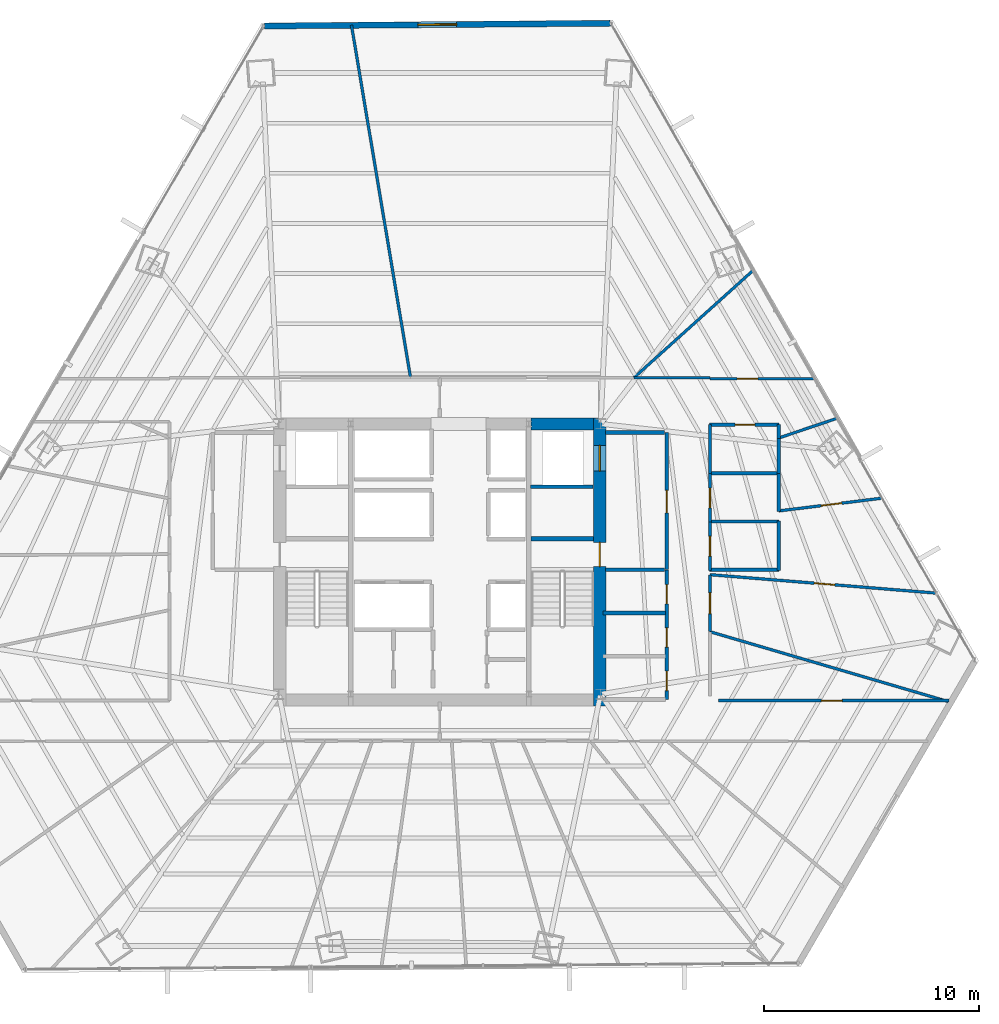
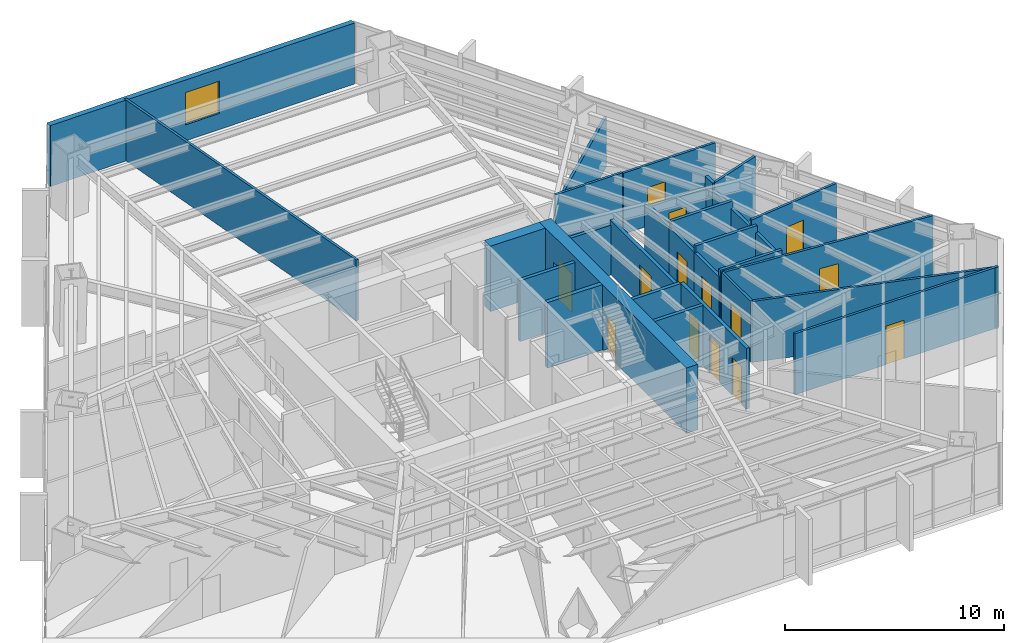
# One storey, part 34 of 38: 31 walls, 14 doors, 1 window, 15 openings.
"""IFC4 building model written with IfcOpenShell, lengths in metres."""

import ifcopenshell
import ifcopenshell.guid

model = None  # the IFC model being written
_history = None  # IfcOwnerHistory: only IFC2X3 demands one
_inside = {}  # id of a spatial element -> (the spatial element, [elements in it])
_under = {}  # id of a project, library or spatial element -> (it, [spatial elements below it])
_declared = {}  # id of a project -> (the project, [libraries it declares])
_typed = {}  # id of a type object -> (the type object, [elements of that type])
_made_of = {}  # id of a material, layer set ... -> (it, [elements and type objects made of it])


def new_model(schema):
    """Start an empty IFC model of exactly this schema.

    Asked for "IFC4X3", IfcOpenShell would pick the latest addendum, in which some entities
    have other attributes; the version numbers below select the first issue.
    IFC2X3 requires an IfcOwnerHistory on every rooted entity: one is made here for all.
    """
    global model, _history
    if schema == "IFC4X3":
        model = ifcopenshell.file(schema_version=(4, 3, 0, 0))
    else:
        model = ifcopenshell.file(schema=schema)
    _inside.clear()
    _under.clear()
    _declared.clear()
    _typed.clear()
    _made_of.clear()
    _history = None
    if model.schema == "IFC2X3":
        org = make("IfcOrganization", Name="unknown")
        user = make(
            "IfcPersonAndOrganization",
            ThePerson=make("IfcPerson", FamilyName="unknown"),
            TheOrganization=org,
        )
        app = make(
            "IfcApplication",
            ApplicationDeveloper=org,
            Version="unknown",
            ApplicationFullName="unknown",
            ApplicationIdentifier="unknown",
        )
        _history = make(
            "IfcOwnerHistory",
            OwningUser=user,
            OwningApplication=app,
            ChangeAction="ADDED",
            CreationDate=0,
        )
    return model


def make(cls, **values):
    """One entity of the class cls with the attributes given. An attribute that is None is left unset."""
    return model.create_entity(
        cls, **{name: value for name, value in values.items() if value is not None}
    )


def rooted(cls, **values):
    """An entity with a GlobalId (a new one), such as an element, a storey or a relation."""
    return make(cls, GlobalId=ifcopenshell.guid.new(), OwnerHistory=_history, **values)


def si_unit(unit_type, name, prefix=None):
    """IfcSIUnit, for example si_unit("LENGTHUNIT", "METRE", prefix="MILLI")."""
    return make("IfcSIUnit", UnitType=unit_type, Prefix=prefix, Name=name)


def assignment(units):
    """IfcUnitAssignment: the units of a project."""
    return None if units is None else make("IfcUnitAssignment", Units=units)


def point(xyz):
    """IfcCartesianPoint."""
    return None if xyz is None else make("IfcCartesianPoint", Coordinates=xyz)


def direction(xyz):
    """IfcDirection."""
    return None if xyz is None else make("IfcDirection", DirectionRatios=xyz)


def frame(location, z_axis=None, x_axis=None):
    """IfcAxis2Placement3D, a coordinate frame: its origin and axes. An axis left out is left unset."""
    return make(
        "IfcAxis2Placement3D",
        Location=point(location),
        Axis=direction(z_axis),
        RefDirection=direction(x_axis),
    )


def frame_2d(location, x_axis=None):
    """IfcAxis2Placement2D, a coordinate frame in the plane: its origin and x axis."""
    return make(
        "IfcAxis2Placement2D", Location=point(location), RefDirection=direction(x_axis)
    )


def origin():
    """The frame at (0, 0, 0) with its axes left unset."""
    return frame((0.0, 0.0, 0.0))


def place(relative_to, where):
    """IfcLocalPlacement: puts the frame where relative to a parent placement (None: the world)."""
    return make(
        "IfcLocalPlacement", PlacementRelTo=relative_to, RelativePlacement=where
    )


def context(
    kind, dimensions, precision=None, world=None, true_north=None, identifier=None
):
    """IfcGeometricRepresentationContext, for example the 3D "Model" context."""
    return make(
        "IfcGeometricRepresentationContext",
        ContextIdentifier=identifier,
        ContextType=kind,
        CoordinateSpaceDimension=dimensions,
        Precision=precision,
        WorldCoordinateSystem=world,
        TrueNorth=true_north,
    )


def subcontext(parent, identifier, kind, view, scale=None):
    """IfcGeometricRepresentationSubContext, for example "Body" below "Model"."""
    return make(
        "IfcGeometricRepresentationSubContext",
        ContextIdentifier=identifier,
        ContextType=kind,
        ParentContext=parent,
        TargetScale=scale,
        TargetView=view,
    )


def project(units=None, contexts=None):
    """IfcProject with its units and contexts."""
    return rooted(
        "IfcProject",
        Name="project",
        RepresentationContexts=contexts,
        UnitsInContext=assignment(units),
    )


def spatial(cls, under=None, at=None, **own):
    """A site, building, storey or space (cls), placed at a placement, below another one or the project."""
    s = rooted(cls, ObjectPlacement=at, **own)
    if under is not None:
        _under.setdefault(under.id(), (under, []))[1].append(s)
    return s


def profile(cls, at=None, kind="AREA", **sizes):
    """A parametric profile (cls). Its sizes go by their IFC names, for example OverallWidth=200.0."""
    return make(cls, ProfileType=kind, Position=at, **sizes)


def rectangle(**sizes):
    """IfcRectangleProfileDef."""
    return profile("IfcRectangleProfileDef", **sizes)


def extrude(swept, where, along, depth):
    """IfcExtrudedAreaSolid: the profile swept, set in the frame where, extruded along a direction by depth."""
    return make(
        "IfcExtrudedAreaSolid",
        SweptArea=swept,
        Position=where,
        ExtrudedDirection=direction(along),
        Depth=depth,
    )


def shape(context_of_items, identifier, shape_type, items):
    """IfcShapeRepresentation: the items that make up one representation, for example the "Body"."""
    return make(
        "IfcShapeRepresentation",
        ContextOfItems=context_of_items,
        RepresentationIdentifier=identifier,
        RepresentationType=shape_type,
        Items=items,
    )


def material(Name=None, Category=None):
    """IfcMaterial."""
    return make("IfcMaterial", Name=Name, Category=Category)


def layer(
    of_material, thickness, ventilated=None, Name=None, Category=None, Priority=None
):
    """IfcMaterialLayer: one layer of a wall or slab, of a material (None: an air gap)."""
    return make(
        "IfcMaterialLayer",
        Material=of_material,
        LayerThickness=thickness,
        IsVentilated=ventilated,
        Name=Name,
        Category=Category,
        Priority=Priority,
    )


def layer_set(layers, Name=None):
    """IfcMaterialLayerSet."""
    return make("IfcMaterialLayerSet", MaterialLayers=layers, LayerSetName=Name)


def made_of(thing, what):
    """Note that an element or type object is made of a material, layer set ...; save() writes the relation."""
    if what is not None:
        _made_of.setdefault(what.id(), (what, []))[1].append(thing)
    return thing


def type_object(cls, material=None, **own):
    """A type object (cls), such as IfcWallType, which elements share."""
    return made_of(rooted(cls, **own), material)


def element(
    cls,
    number,
    at=None,
    inside=None,
    cuts=None,
    type_object=None,
    material=None,
    context=None,
    identifier="Body",
    shape_type=None,
    held_by="IfcProductDefinitionShape",
    body=None,
    shapes=None,
    **own,
):
    """One element of the class cls, such as IfcWall. Its Tag is "e" and its number.

    at: its placement. inside: the storey or other place that contains it. cuts: it is an
    opening in that element (IfcRelVoidsElement). A single representation is given by context,
    identifier, shape_type and body (its items); several are given by shapes. held_by: the class
    of the entity that holds the representations. save() writes the other relations.
    """
    e = rooted(cls, Tag="e%d" % number, ObjectPlacement=at, **own)
    if body is not None:
        shapes = [shape(context, identifier, shape_type, body)]
    if shapes is not None:
        e.Representation = make(held_by, Representations=shapes)
    if inside is not None:
        _inside.setdefault(inside.id(), (inside, []))[1].append(e)
    if cuts is not None:
        rooted(
            "IfcRelVoidsElement", RelatingBuildingElement=cuts, RelatedOpeningElement=e
        )
    if type_object is not None:
        _typed.setdefault(type_object.id(), (type_object, []))[1].append(e)
    return made_of(e, material)


def fill(opening, filler):
    """IfcRelFillsElement: the door or window that sits in an opening."""
    return rooted(
        "IfcRelFillsElement",
        RelatingOpeningElement=opening,
        RelatedBuildingElement=filler,
    )


def aggregate(whole, parts):
    """IfcRelAggregates: a whole, such as a stair, and the parts it consists of."""
    return rooted("IfcRelAggregates", RelatingObject=whole, RelatedObjects=parts)


def save(model, path):
    """Write the relations noted so far, then the file.

    IfcRelAggregates (storeys below a building ...), IfcRelContainedInSpatialStructure (elements
    in a storey), IfcRelDefinesByType, IfcRelAssociatesMaterial and IfcRelDeclares: one each for
    every whole, place, type object, material and project.
    """
    for whole, parts in _under.values():
        aggregate(whole, parts)
    for where, things in _inside.values():
        rooted(
            "IfcRelContainedInSpatialStructure",
            RelatedElements=things,
            RelatingStructure=where,
        )
    for kind, things in _typed.values():
        rooted("IfcRelDefinesByType", RelatedObjects=things, RelatingType=kind)
    for what, things in _made_of.values():
        rooted("IfcRelAssociatesMaterial", RelatedObjects=things, RelatingMaterial=what)
    for by, libraries in _declared.values():
        rooted("IfcRelDeclares", RelatingContext=by, RelatedDefinitions=libraries)
    model.write(path)


model = new_model("IFC4")

# Units and contexts
model_context = context("Model", 3, precision=1e-05, world=origin(), true_north=direction((0.0, 1.0)))
body_context = subcontext(model_context, "Body", "Model", "MODEL_VIEW")
ifc_project = project(units=[si_unit("LENGTHUNIT", "METRE"), si_unit("AREAUNIT", "SQUARE_METRE"), si_unit("VOLUMEUNIT", "CUBIC_METRE"), si_unit("PLANEANGLEUNIT", "RADIAN"), si_unit("MASSUNIT", "GRAM", prefix="KILO")], contexts=[model_context])

# Site, building, storey
site_placement = place(None, origin())
site = spatial("IfcSite", under=ifc_project, at=site_placement, CompositionType="ELEMENT")
building_placement = place(site_placement, origin())
building = spatial("IfcBuilding", under=site, at=building_placement, Name="Caelisora Broadcast Tower", CompositionType="ELEMENT")
storey_placement = place(building_placement, frame((0.0, 0.0, 67.75)))
storey = spatial("IfcBuildingStorey", under=building, at=storey_placement, Name="L17", CompositionType="ELEMENT", Elevation=67.75)

# Wall, openings, doors
ifc_material_1 = material(Name="Concrete 65 MPa (AS 3600 S65)", Category="concrete")
ifc_layer_1 = layer(ifc_material_1, 0.60009765625, Name="Concrete 65 MPa (AS 3600 S65)")
ifc_layer_set_1 = layer_set([ifc_layer_1], Name="Concrete 65 MPa (AS 3600 S65)")
wall_type_1 = type_object("IfcWallType", Name="CW1", PredefinedType="SHEAR", material=ifc_layer_set_1)
wall_1_placement = place(storey_placement, frame((45.4599609375, 16.85009765625, 0.0), z_axis=(0.0, 0.0, 1.0), x_axis=(0.0, 1.0, 0.0)))
wall_1 = element("IfcWall", 1, at=wall_1_placement, inside=storey, type_object=wall_type_1, Name="L17 core shear wall CW1", PredefinedType="SHEAR", context=body_context, shape_type="SweptSolid", body=[
    extrude(rectangle(XDim=13.4248046875, YDim=0.60009765625, at=frame_2d((6.71240234375, 0.0))), origin(), (0.0, 0.0, 1.0), 3.64990234375),
])
opening_1_placement = place(wall_1_placement, frame((6.5, 0.0, 0.0)))
opening_1 = element("IfcOpeningElement", 2, at=opening_1_placement, cuts=wall_1, Name="Opening FD04", PredefinedType="OPENING", context=body_context, shape_type="SweptSolid", body=[
    extrude(rectangle(XDim=1.1201171875, YDim=2.14990234375, at=frame_2d((0.56005859375, 1.074951171875))), frame((0.0, 0.31201171875, 0.0), z_axis=(0.0, -1.0, 0.0), x_axis=(1.0, 0.0, 0.0)), (0.0, 0.0, 1.0), 0.6240234375),
])
opening_2_placement = place(wall_1_placement, frame((10.949951171875, 0.0, 0.0)))
opening_2 = element("IfcOpeningElement", 3, at=opening_2_placement, cuts=wall_1, Name="Opening LD04", PredefinedType="OPENING", context=body_context, shape_type="SweptSolid", body=[
    extrude(rectangle(XDim=1.199951171875, YDim=2.199951171875, at=frame_2d((0.60009765625, 1.10009765625))), frame((0.0, 0.31201171875, 0.0), z_axis=(0.0, -1.0, 0.0), x_axis=(1.0, 0.0, 0.0)), (0.0, 0.0, 1.0), 0.6240234375),
])
ifc_material_2 = material(Name="Pressurised Fire-Isolated Stair Door", Category="steel")
door_type_1 = type_object("IfcDoorType", Name="FD04", OperationType="NOTDEFINED", PredefinedType="DOOR", material=ifc_material_2)
door_1_placement = place(opening_1_placement, origin())
door_1 = element("IfcDoor", 4, at=door_1_placement, inside=storey, type_object=door_type_1, Name="L17 door FD04 (L17-DR-ST2)", OperationType="SINGLE_SWING_RIGHT", OverallHeight=2.14990234375, OverallWidth=1.1201171875, PredefinedType="DOOR", context=body_context, shape_type="SweptSolid", body=[
    extrude(rectangle(XDim=1.1201171875, YDim=2.14990234375, at=frame_2d((0.56005859375, 1.074951171875))), frame((0.0, 0.02490234375, 0.0), z_axis=(0.0, -1.0, 0.0), x_axis=(1.0, 0.0, 0.0)), (0.0, 0.0, 1.0), 0.050048828125),
])
fill(opening_1, door_1)
ifc_material_3 = material(Name="Emergency Firefighting Lift Sliding Landing Door", Category="steel")
door_type_2 = type_object("IfcDoorType", Name="LD04", OperationType="NOTDEFINED", PredefinedType="DOOR", material=ifc_material_3)
door_2_placement = place(opening_2_placement, origin())
door_2 = element("IfcDoor", 5, at=door_2_placement, inside=storey, type_object=door_type_2, Name="L17 door LD04 (L17-LD-FFL2)", OperationType="SLIDING_TO_RIGHT", OverallHeight=2.199951171875, OverallWidth=1.199951171875, PredefinedType="DOOR", context=body_context, shape_type="SweptSolid", body=[
    extrude(rectangle(XDim=1.199951171875, YDim=2.199951171875, at=frame_2d((0.60009765625, 1.10009765625))), frame((0.0, 0.02490234375, 0.0), z_axis=(0.0, -1.0, 0.0), x_axis=(1.0, 0.0, 0.0)), (0.0, 0.0, 1.0), 0.050048828125),
])
fill(opening_2, door_2)

# Walls
ifc_layer_2 = layer(ifc_material_1, 0.550048828125, Name="Concrete 65 MPa (AS 3600 S65)")
ifc_layer_set_2 = layer_set([ifc_layer_2], Name="Concrete 65 MPa (AS 3600 S65)")
wall_type_2 = type_object("IfcWallType", Name="CW4", PredefinedType="SHEAR", material=ifc_layer_set_2)
wall_2_placement = place(storey_placement, frame((42.260009765625, 30.0, 0.0), z_axis=(0.0, 0.0, 1.0), x_axis=(1.0, 0.0, 0.0)))
element("IfcWall", 6, at=wall_2_placement, inside=storey, type_object=wall_type_2, Name="L17 core shear wall CW4", PredefinedType="SHEAR", context=body_context, shape_type="SweptSolid", body=[
    extrude(rectangle(XDim=2.89990234375, YDim=0.550048828125, at=frame_2d((1.449951171875, 0.0))), origin(), (0.0, 0.0, 1.0), 3.64990234375),
])
ifc_material_4 = material(Name="Concrete 50 MPa (AS 3600 S50)", Category="concrete")
ifc_layer_3 = layer(ifc_material_4, 0.219970703125, Name="Concrete 50 MPa (AS 3600 S50)")
ifc_layer_set_3 = layer_set([ifc_layer_3], Name="Concrete 50 MPa (AS 3600 S50)")
wall_type_3 = type_object("IfcWallType", Name="CW7", PredefinedType="SHEAR", material=ifc_layer_set_3)
wall_3_placement = place(storey_placement, frame((42.260009765625, 24.639892578125, 0.0), z_axis=(0.0, 0.0, 1.0), x_axis=(1.0, 0.0, 0.0)))
element("IfcWall", 7, at=wall_3_placement, inside=storey, type_object=wall_type_3, Name="L17 core shear wall CW7", PredefinedType="SHEAR", context=body_context, shape_type="SweptSolid", body=[
    extrude(rectangle(XDim=2.89990234375, YDim=0.219970703125, at=frame_2d((1.449951171875, 0.0))), origin(), (0.0, 0.0, 1.0), 3.64990234375),
])

# Wall, opening, window
ifc_material_5 = material(Name="Insulated Terracotta Spandrel Wall System", Category="masonry")
ifc_layer_4 = layer(ifc_material_5, 0.280029296875, Name="Insulated Terracotta Spandrel Wall System")
ifc_layer_set_4 = layer_set([ifc_layer_4], Name="Insulated Terracotta Spandrel Wall System")
wall_type_4 = type_object("IfcWallType", Name="EW1", PredefinedType="STANDARD", material=ifc_layer_set_4)
wall_4_placement = place(storey_placement, frame((29.823974609375, 48.547119140625, 0.0), z_axis=(0.0, 0.0, 1.0), x_axis=(0.999968168936, 0.007978791561, 0.0)))
wall_4 = element("IfcWall", 8, at=wall_4_placement, inside=storey, type_object=wall_type_4, Name="L17 exterior envelope wall EW1", PredefinedType="STANDARD", context=body_context, shape_type="SweptSolid", body=[
    extrude(rectangle(XDim=16.12548828125, YDim=0.280029296875, at=frame_2d((8.062744140625, 0.0))), origin(), (0.0, 0.0, 1.0), 3.39990234375),
])
opening_3_placement = place(wall_4_placement, frame((7.159912109375, 0.0, 0.89990234375)))
opening_3 = element("IfcOpeningElement", 9, at=opening_3_placement, cuts=wall_4, Name="Opening W01", PredefinedType="OPENING", context=body_context, shape_type="SweptSolid", body=[
    extrude(rectangle(XDim=1.800048828125, YDim=1.800048828125, at=frame_2d((0.89990234375, 0.89990234375))), frame((0.0, 0.152099609375, 0.0), z_axis=(0.0, -1.0, 0.0), x_axis=(1.0, 0.0, 0.0)), (0.0, 0.0, 1.0), 0.303955078125),
])
ifc_material_6 = material(Name="Double Glazed Terracotta-Framed Vision Window", Category="glass")
window_type = type_object("IfcWindowType", Name="W01", PartitioningType="SINGLE_PANEL", PredefinedType="WINDOW", material=ifc_material_6)
window_placement = place(opening_3_placement, origin())
window = element("IfcWindow", 10, at=window_placement, inside=storey, type_object=window_type, Name="L17 window W01 (L17-WN-CH8)", OverallHeight=1.800048828125, OverallWidth=1.800048828125, PartitioningType="SINGLE_PANEL", PredefinedType="WINDOW", context=body_context, shape_type="SweptSolid", body=[
    extrude(rectangle(XDim=1.800048828125, YDim=1.800048828125, at=frame_2d((0.89990234375, 0.89990234375))), frame((0.0, 0.030029296875, 0.0), z_axis=(0.0, -1.0, 0.0), x_axis=(1.0, 0.0, 0.0)), (0.0, 0.0, 1.0), 0.06005859375),
])
fill(opening_3, window)

# Wall, opening, door
ifc_material_7 = material(Name="Fire-Rated Gypsum Shaft and Compartment Wall", Category="gypsum")
ifc_layer_5 = layer(ifc_material_7, 0.179931640625, Name="Fire-Rated Gypsum Shaft and Compartment Wall")
ifc_layer_set_5 = layer_set([ifc_layer_5], Name="Fire-Rated Gypsum Shaft and Compartment Wall")
wall_type_5 = type_object("IfcWallType", Name="PW2", PredefinedType="PARTITIONING", material=ifc_layer_set_5)
wall_5_placement = place(storey_placement, frame((48.580078125, 23.199951171875, 0.0), z_axis=(0.0, 0.0, 1.0), x_axis=(0.0, 1.0, 0.0)))
wall_5 = element("IfcWall", 11, at=wall_5_placement, inside=storey, type_object=wall_type_5, Name="L17 fire compartment wall PW2", PredefinedType="PARTITIONING", context=body_context, shape_type="SweptSolid", body=[
    extrude(rectangle(XDim=6.400146484375, YDim=0.179931640625, at=frame_2d((3.2001953125, 0.0))), origin(), (0.0, 0.0, 1.0), 3.0263671875),
])
opening_4_placement = place(wall_5_placement, frame((2.64990234375, 0.0, 0.0)))
opening_4 = element("IfcOpeningElement", 12, at=opening_4_placement, cuts=wall_5, Name="Opening FD02", PredefinedType="OPENING", context=body_context, shape_type="SweptSolid", body=[
    extrude(rectangle(XDim=1.050048828125, YDim=2.14990234375, at=frame_2d((0.52490234375, 1.074951171875))), frame((0.0, 0.10205078125, 0.0), z_axis=(0.0, -1.0, 0.0), x_axis=(1.0, 0.0, 0.0)), (0.0, 0.0, 1.0), 0.203857421875),
])
ifc_material_8 = material(Name="Single-Leaf Steel Fire Lobby Door", Category="steel")
door_type_3 = type_object("IfcDoorType", Name="FD02", OperationType="NOTDEFINED", PredefinedType="DOOR", material=ifc_material_8)
door_3_placement = place(opening_4_placement, origin())
door_3 = element("IfcDoor", 13, at=door_3_placement, inside=storey, type_object=door_type_3, Name="L17 door FD02 (L17-DR-P04D1)", OperationType="SINGLE_SWING_RIGHT", OverallHeight=2.14990234375, OverallWidth=1.050048828125, PredefinedType="DOOR", context=body_context, shape_type="SweptSolid", body=[
    extrude(rectangle(XDim=1.050048828125, YDim=2.14990234375, at=frame_2d((0.52490234375, 1.074951171875))), frame((0.0, 0.02490234375, 0.0), z_axis=(0.0, -1.0, 0.0), x_axis=(1.0, 0.0, 0.0)), (0.0, 0.0, 1.0), 0.050048828125),
])
fill(opening_4, door_3)

# Walls
wall_6_placement = place(storey_placement, frame((45.719970703125, 23.199951171875, 0.0), z_axis=(0.0, 0.0, 1.0), x_axis=(1.0, 0.0, 0.0)))
element("IfcWall", 14, at=wall_6_placement, inside=storey, type_object=wall_type_5, Name="L17 fire compartment wall PW2", PredefinedType="PARTITIONING", context=body_context, shape_type="SweptSolid", body=[
    extrude(rectangle(XDim=2.760009765625, YDim=0.179931640625, at=frame_2d((1.3798828125, 0.0))), origin(), (0.0, 0.0, 1.0), 3.39990234375),
])
wall_7_placement = place(storey_placement, frame((45.719970703125, 29.60009765625, 0.0), z_axis=(0.0, 0.0, 1.0), x_axis=(1.0, 0.0, 0.0)))
element("IfcWall", 15, at=wall_7_placement, inside=storey, type_object=wall_type_5, Name="L17 fire compartment wall PW2", PredefinedType="PARTITIONING", context=body_context, shape_type="SweptSolid", body=[
    extrude(rectangle(XDim=2.760009765625, YDim=0.179931640625, at=frame_2d((1.3798828125, 0.0))), origin(), (0.0, 0.0, 1.0), 2.78271484375),
])
for number, where, z_axis, x_axis, name in (
    (16, (42.239990234375, 27.070068359375, 0.0), (0.0, 0.0, 1.0), (1.0, 0.0, 0.0), "L17 fire compartment wall PW2"),
    (17, (45.6201171875, 21.18994140625, 0.0), (0.0, 0.0, 1.0), (1.0, 0.0, 0.0), "L17 fire compartment wall PW2"),
):
    element("IfcWall", number, at=place(storey_placement, frame(where, z_axis=z_axis, x_axis=x_axis)), inside=storey, type_object=wall_type_5, Name=name, PredefinedType="PARTITIONING", context=body_context, shape_type="SweptSolid", body=[
        extrude(rectangle(XDim=2.89990234375, YDim=0.179931640625, at=frame_2d((1.449951171875, 0.0))), origin(), (0.0, 0.0, 1.0), 3.39990234375),
    ])

# Wall, openings, doors
wall_8_placement = place(storey_placement, frame((48.580078125, 17.14990234375, 0.0), z_axis=(0.0, 0.0, 1.0), x_axis=(0.0, 1.0, 0.0)))
wall_8 = element("IfcWall", 18, at=wall_8_placement, inside=storey, type_object=wall_type_5, Name="L17 fire compartment wall PW2", PredefinedType="PARTITIONING", context=body_context, shape_type="SweptSolid", body=[
    extrude(rectangle(XDim=6.030029296875, YDim=0.179931640625, at=frame_2d((3.01513671875, 0.0))), origin(), (0.0, 0.0, 1.0), 3.39990234375),
])
opening_5_placement = place(wall_8_placement, frame((0.419921875, 0.0, 0.0)))
opening_5 = element("IfcOpeningElement", 19, at=opening_5_placement, cuts=wall_8, Name="Opening FD03", PredefinedType="OPENING", context=body_context, shape_type="SweptSolid", body=[
    extrude(rectangle(XDim=0.89990234375, YDim=2.10009765625, at=frame_2d((0.449951171875, 1.050048828125))), frame((0.0, 0.10205078125, 0.0), z_axis=(0.0, -1.0, 0.0), x_axis=(1.0, 0.0, 0.0)), (0.0, 0.0, 1.0), 0.203857421875),
])
opening_6_placement = place(wall_8_placement, frame((2.43994140625, 0.0, 0.0)))
opening_6 = element("IfcOpeningElement", 20, at=opening_6_placement, cuts=wall_8, Name="Opening FD03", PredefinedType="OPENING", context=body_context, shape_type="SweptSolid", body=[
    extrude(rectangle(XDim=0.89990234375, YDim=2.10009765625, at=frame_2d((0.449951171875, 1.050048828125))), frame((0.0, 0.10205078125, 0.0), z_axis=(0.0, -1.0, 0.0), x_axis=(1.0, 0.0, 0.0)), (0.0, 0.0, 1.0), 0.203857421875),
])
opening_7_placement = place(wall_8_placement, frame((4.4599609375, 0.0, 0.0)))
opening_7 = element("IfcOpeningElement", 21, at=opening_7_placement, cuts=wall_8, Name="Opening FD03", PredefinedType="OPENING", context=body_context, shape_type="SweptSolid", body=[
    extrude(rectangle(XDim=0.89990234375, YDim=2.10009765625, at=frame_2d((0.449951171875, 1.050048828125))), frame((0.0, 0.10205078125, 0.0), z_axis=(0.0, -1.0, 0.0), x_axis=(1.0, 0.0, 0.0)), (0.0, 0.0, 1.0), 0.203857421875),
])
ifc_material_9 = material(Name="Single-Leaf Steel Riser Fire Access Door", Category="steel")
door_type_4 = type_object("IfcDoorType", Name="FD03", OperationType="NOTDEFINED", PredefinedType="DOOR", material=ifc_material_9)
door_4_placement = place(opening_5_placement, origin())
door_4 = element("IfcDoor", 22, at=door_4_placement, inside=storey, type_object=door_type_4, Name="L17 door FD03 (L17-DR-P17D1)", OperationType="SINGLE_SWING_LEFT", OverallHeight=2.10009765625, OverallWidth=0.89990234375, PredefinedType="DOOR", context=body_context, shape_type="SweptSolid", body=[
    extrude(rectangle(XDim=0.89990234375, YDim=2.10009765625, at=frame_2d((0.449951171875, 1.050048828125))), frame((0.0, 0.02490234375, 0.0), z_axis=(0.0, -1.0, 0.0), x_axis=(1.0, 0.0, 0.0)), (0.0, 0.0, 1.0), 0.050048828125),
])
fill(opening_5, door_4)
door_5_placement = place(opening_6_placement, origin())
door_5 = element("IfcDoor", 23, at=door_5_placement, inside=storey, type_object=door_type_4, Name="L17 door FD03 (L17-DR-P17D2)", OperationType="SINGLE_SWING_RIGHT", OverallHeight=2.10009765625, OverallWidth=0.89990234375, PredefinedType="DOOR", context=body_context, shape_type="SweptSolid", body=[
    extrude(rectangle(XDim=0.89990234375, YDim=2.10009765625, at=frame_2d((0.449951171875, 1.050048828125))), frame((0.0, 0.02490234375, 0.0), z_axis=(0.0, -1.0, 0.0), x_axis=(1.0, 0.0, 0.0)), (0.0, 0.0, 1.0), 0.050048828125),
])
fill(opening_6, door_5)
door_6_placement = place(opening_7_placement, origin())
door_6 = element("IfcDoor", 24, at=door_6_placement, inside=storey, type_object=door_type_4, Name="L17 door FD03 (L17-DR-P17D3)", OperationType="SINGLE_SWING_LEFT", OverallHeight=2.10009765625, OverallWidth=0.89990234375, PredefinedType="DOOR", context=body_context, shape_type="SweptSolid", body=[
    extrude(rectangle(XDim=0.89990234375, YDim=2.10009765625, at=frame_2d((0.449951171875, 1.050048828125))), frame((0.0, 0.02490234375, 0.0), z_axis=(0.0, -1.0, 0.0), x_axis=(1.0, 0.0, 0.0)), (0.0, 0.0, 1.0), 0.050048828125),
])
fill(opening_7, door_6)

# Walls
ifc_material_10 = material(Name="Acoustic Steel-Stud Plasterboard Partition", Category="gypsum")
ifc_layer_6 = layer(ifc_material_10, 0.1298828125, Name="Acoustic Steel-Stud Plasterboard Partition")
ifc_layer_set_6 = layer_set([ifc_layer_6], Name="Acoustic Steel-Stud Plasterboard Partition")
wall_type_6 = type_object("IfcWallType", Name="PW3", PredefinedType="PARTITIONING", material=ifc_layer_set_6)
wall_9_placement = place(storey_placement, frame((33.885986328125, 48.58447265625, 0.0), z_axis=(0.0, 0.0, 1.0), x_axis=(0.165256873568, -0.98625055931, 0.0)))
element("IfcWall", 25, at=wall_9_placement, inside=storey, type_object=wall_type_6, Name="L17 internal partition PW3", PredefinedType="PARTITIONING", context=body_context, shape_type="SweptSolid", body=[
    extrude(rectangle(XDim=16.658447265625, YDim=0.1298828125, at=frame_2d((8.3291015625, 0.0))), origin(), (0.0, 0.0, 1.0), 3.39990234375),
])
wall_10_placement = place(storey_placement, frame((50.60498046875, 20.30908203125, 0.0), z_axis=(0.0, 0.0, 1.0), x_axis=(0.959589046709, -0.281405155311, 0.0)))
element("IfcWall", 26, at=wall_10_placement, inside=storey, type_object=wall_type_6, Name="L17 internal partition PW3", PredefinedType="PARTITIONING", context=body_context, shape_type="SweptSolid", body=[
    extrude(rectangle(XDim=11.566650390625, YDim=0.1298828125, at=frame_2d((5.783203125, 0.0))), origin(), (0.0, 0.0, 1.0), 3.39990234375),
])

# Wall, opening, door
wall_11_placement = place(storey_placement, frame((50.60498046875, 22.969970703125, 0.0), z_axis=(0.0, 0.0, 1.0), x_axis=(0.996688315878, -0.081316671064, 0.0)))
wall_11 = element("IfcWall", 27, at=wall_11_placement, inside=storey, type_object=wall_type_6, Name="L17 internal partition PW3", PredefinedType="PARTITIONING", context=body_context, shape_type="SweptSolid", body=[
    extrude(rectangle(XDim=10.58935546875, YDim=0.1298828125, at=frame_2d((5.294677734375, 0.0))), origin(), (0.0, 0.0, 1.0), 3.39990234375),
])
opening_8_placement = place(wall_11_placement, frame((4.8701171875, 0.0, 0.0)))
opening_8 = element("IfcOpeningElement", 28, at=opening_8_placement, cuts=wall_11, Name="Opening D01", PredefinedType="OPENING", context=body_context, shape_type="SweptSolid", body=[
    extrude(rectangle(XDim=0.9599609375, YDim=2.14990234375, at=frame_2d((0.47998046875, 1.074951171875))), frame((0.0, 0.076904296875, 0.0), z_axis=(0.0, -1.0, 0.0), x_axis=(1.0, 0.0, 0.0)), (0.0, 0.0, 1.0), 0.15380859375),
])
ifc_material_11 = material(Name="Solid-Core Timber Acoustic Office Door", Category="wood")
door_type_5 = type_object("IfcDoorType", Name="D01", OperationType="NOTDEFINED", PredefinedType="DOOR", material=ifc_material_11)
door_7_placement = place(opening_8_placement, origin())
door_7 = element("IfcDoor", 29, at=door_7_placement, inside=storey, type_object=door_type_5, Name="L17 door D01 (L17-DR-P46D1)", OperationType="SINGLE_SWING_LEFT", OverallHeight=2.14990234375, OverallWidth=0.9599609375, PredefinedType="DOOR", context=body_context, shape_type="SweptSolid", body=[
    extrude(rectangle(XDim=0.9599609375, YDim=2.14990234375, at=frame_2d((0.47998046875, 1.074951171875))), frame((0.0, 0.02490234375, 0.0), z_axis=(0.0, -1.0, 0.0), x_axis=(1.0, 0.0, 0.0)), (0.0, 0.0, 1.0), 0.050048828125),
])
fill(opening_8, door_7)

wall_12_placement = place(storey_placement, frame((51.0, 17.10009765625, 0.0), z_axis=(0.0, 0.0, 1.0), x_axis=(1.0, 0.0, 0.0)))
wall_12 = element("IfcWall", 30, at=wall_12_placement, inside=storey, type_object=wall_type_6, Name="L17 internal partition PW3", PredefinedType="PARTITIONING", context=body_context, shape_type="SweptSolid", body=[
    extrude(rectangle(XDim=10.74609375, YDim=0.1298828125, at=frame_2d((5.373046875, 0.0))), origin(), (0.0, 0.0, 1.0), 3.39990234375),
])
opening_9_placement = place(wall_12_placement, frame((4.79296875, 0.0, 0.0)))
opening_9 = element("IfcOpeningElement", 31, at=opening_9_placement, cuts=wall_12, Name="Opening D01", PredefinedType="OPENING", context=body_context, shape_type="SweptSolid", body=[
    extrude(rectangle(XDim=0.9599609375, YDim=2.14990234375, at=frame_2d((0.47998046875, 1.074951171875))), frame((0.0, 0.076904296875, 0.0), z_axis=(0.0, -1.0, 0.0), x_axis=(1.0, 0.0, 0.0)), (0.0, 0.0, 1.0), 0.15380859375),
])
door_8_placement = place(opening_9_placement, origin())
door_8 = element("IfcDoor", 32, at=door_8_placement, inside=storey, type_object=door_type_5, Name="L17 door D01 (L17-DR-P49D1)", OperationType="SINGLE_SWING_LEFT", OverallHeight=2.14990234375, OverallWidth=0.9599609375, PredefinedType="DOOR", context=body_context, shape_type="SweptSolid", body=[
    extrude(rectangle(XDim=0.9599609375, YDim=2.14990234375, at=frame_2d((0.47998046875, 1.074951171875))), frame((0.0, 0.02490234375, 0.0), z_axis=(0.0, -1.0, 0.0), x_axis=(1.0, 0.0, 0.0)), (0.0, 0.0, 1.0), 0.050048828125),
])
fill(opening_9, door_8)

# Wall
wall_13_placement = place(storey_placement, frame((47.053955078125, 32.153076171875, 0.0), z_axis=(0.0, 0.0, 1.0), x_axis=(0.743263128227, 0.668999194482, 0.0)))
element("IfcWall", 33, at=wall_13_placement, inside=storey, type_object=wall_type_6, Name="L17 internal partition PW3", PredefinedType="PARTITIONING", context=body_context, shape_type="SweptSolid", body=[
    extrude(rectangle(XDim=7.436279296875, YDim=0.1298828125, at=frame_2d((3.71826171875, 0.0))), origin(), (0.0, 0.0, 1.0), 2.78271484375),
])

# Wall, opening, door
wall_14_placement = place(storey_placement, frame((53.804931640625, 25.94091796875, 0.0), z_axis=(0.0, 0.0, 1.0), x_axis=(0.992440032107, 0.122730528688, 0.0)))
wall_14 = element("IfcWall", 34, at=wall_14_placement, inside=storey, type_object=wall_type_6, Name="L17 internal partition PW3", PredefinedType="PARTITIONING", context=body_context, shape_type="SweptSolid", body=[
    extrude(rectangle(XDim=4.86181640625, YDim=0.1298828125, at=frame_2d((2.430908203125, 0.0))), origin(), (0.0, 0.0, 1.0), 3.39990234375),
])
opening_10_placement = place(wall_14_placement, frame((2.0009765625, 0.0, 0.0)))
opening_10 = element("IfcOpeningElement", 35, at=opening_10_placement, cuts=wall_14, Name="Opening D01", PredefinedType="OPENING", context=body_context, shape_type="SweptSolid", body=[
    extrude(rectangle(XDim=0.9599609375, YDim=2.14990234375, at=frame_2d((0.47998046875, 1.074951171875))), frame((0.0, 0.076904296875, 0.0), z_axis=(0.0, -1.0, 0.0), x_axis=(1.0, 0.0, 0.0)), (0.0, 0.0, 1.0), 0.15380859375),
])
door_9_placement = place(opening_10_placement, origin())
door_9 = element("IfcDoor", 36, at=door_9_placement, inside=storey, type_object=door_type_5, Name="L17 door D01 (L17-DR-P55D1)", OperationType="SINGLE_SWING_LEFT", OverallHeight=2.14990234375, OverallWidth=0.9599609375, PredefinedType="DOOR", context=body_context, shape_type="SweptSolid", body=[
    extrude(rectangle(XDim=0.9599609375, YDim=2.14990234375, at=frame_2d((0.47998046875, 1.074951171875))), frame((0.0, 0.02490234375, 0.0), z_axis=(0.0, -1.0, 0.0), x_axis=(1.0, 0.0, 0.0)), (0.0, 0.0, 1.0), 0.050048828125),
])
fill(opening_10, door_9)

wall_15_placement = place(storey_placement, frame((50.60498046875, 32.10009765625, 0.0), z_axis=(0.0, 0.0, 1.0), x_axis=(1.0, 0.0, 0.0)))
wall_15 = element("IfcWall", 37, at=wall_15_placement, inside=storey, type_object=wall_type_6, Name="L17 internal partition PW3", PredefinedType="PARTITIONING", context=body_context, shape_type="SweptSolid", body=[
    extrude(rectangle(XDim=4.847900390625, YDim=0.1298828125, at=frame_2d((2.423828125, 0.0))), origin(), (0.0, 0.0, 1.0), 3.39990234375),
])
opening_11_placement = place(wall_15_placement, frame((1.260009765625, 0.0, 0.0)))
opening_11 = element("IfcOpeningElement", 38, at=opening_11_placement, cuts=wall_15, Name="Opening D01", PredefinedType="OPENING", context=body_context, shape_type="SweptSolid", body=[
    extrude(rectangle(XDim=0.9599609375, YDim=2.14990234375, at=frame_2d((0.47998046875, 1.074951171875))), frame((0.0, 0.076904296875, 0.0), z_axis=(0.0, -1.0, 0.0), x_axis=(1.0, 0.0, 0.0)), (0.0, 0.0, 1.0), 0.15380859375),
])
door_10_placement = place(opening_11_placement, origin())
door_10 = element("IfcDoor", 39, at=door_10_placement, inside=storey, type_object=door_type_5, Name="L17 door D01 (L17-DR-P56D1)", OperationType="SINGLE_SWING_RIGHT", OverallHeight=2.14990234375, OverallWidth=0.9599609375, PredefinedType="DOOR", context=body_context, shape_type="SweptSolid", body=[
    extrude(rectangle(XDim=0.9599609375, YDim=2.14990234375, at=frame_2d((0.47998046875, 1.074951171875))), frame((0.0, 0.02490234375, 0.0), z_axis=(0.0, -1.0, 0.0), x_axis=(1.0, 0.0, 0.0)), (0.0, 0.0, 1.0), 0.050048828125),
])
fill(opening_11, door_10)

# Wall
wall_16_placement = place(storey_placement, frame((47.054931640625, 32.14990234375, 0.0), z_axis=(0.0, 0.0, 1.0), x_axis=(1.0, 0.0, 0.0)))
element("IfcWall", 40, at=wall_16_placement, inside=storey, type_object=wall_type_6, Name="L17 internal partition PW3", PredefinedType="PARTITIONING", context=body_context, shape_type="SweptSolid", body=[
    extrude(rectangle(XDim=3.5400390625, YDim=0.1298828125, at=frame_2d((1.77001953125, 0.0))), origin(), (0.0, 0.0, 1.0), 3.39990234375),
])

# Wall, opening, door
wall_17_placement = place(storey_placement, frame((50.60009765625, 20.31494140625, 0.0), z_axis=(0.0, 0.0, 1.0), x_axis=(0.0, 1.0, 0.0)))
wall_17 = element("IfcWall", 41, at=wall_17_placement, inside=storey, type_object=wall_type_6, Name="L17 internal partition PW3", PredefinedType="PARTITIONING", context=body_context, shape_type="SweptSolid", body=[
    extrude(rectangle(XDim=2.650146484375, YDim=0.1298828125, at=frame_2d((1.3251953125, 0.0))), origin(), (0.0, 0.0, 1.0), 3.39990234375),
])
opening_12_placement = place(wall_17_placement, frame((0.844970703125, 0.0, 0.0)))
opening_12 = element("IfcOpeningElement", 42, at=opening_12_placement, cuts=wall_17, Name="Opening D01", PredefinedType="OPENING", context=body_context, shape_type="SweptSolid", body=[
    extrude(rectangle(XDim=0.9599609375, YDim=2.14990234375, at=frame_2d((0.47998046875, 1.074951171875))), frame((0.0, 0.076904296875, 0.0), z_axis=(0.0, -1.0, 0.0), x_axis=(1.0, 0.0, 0.0)), (0.0, 0.0, 1.0), 0.15380859375),
])
door_11_placement = place(opening_12_placement, origin())
door_11 = element("IfcDoor", 43, at=door_11_placement, inside=storey, type_object=door_type_5, Name="L17 door D01 (L17-DR-P66D1)", OperationType="SINGLE_SWING_RIGHT", OverallHeight=2.14990234375, OverallWidth=0.9599609375, PredefinedType="DOOR", context=body_context, shape_type="SweptSolid", body=[
    extrude(rectangle(XDim=0.9599609375, YDim=2.14990234375, at=frame_2d((0.47998046875, 1.074951171875))), frame((0.0, 0.02490234375, 0.0), z_axis=(0.0, -1.0, 0.0), x_axis=(1.0, 0.0, 0.0)), (0.0, 0.0, 1.0), 0.050048828125),
])
fill(opening_12, door_11)

# Walls
wall_18_placement = place(storey_placement, frame((53.804931640625, 29.342041015625, 0.0), z_axis=(0.0, 0.0, 1.0), x_axis=(0.947484755761, 0.319800934334, 0.0)))
element("IfcWall", 44, at=wall_18_placement, inside=storey, type_object=wall_type_6, Name="L17 internal partition PW3", PredefinedType="PARTITIONING", context=body_context, shape_type="SweptSolid", body=[
    extrude(rectangle(XDim=2.826904296875, YDim=0.1298828125, at=frame_2d((1.41357421875, 0.0))), origin(), (0.0, 0.0, 1.0), 3.39990234375),
])
ifc_material_12 = material(Name="Moisture-Resistant Wet Plumbing Service Wall", Category="gypsum")
ifc_layer_7 = layer(ifc_material_12, 0.159912109375, Name="Moisture-Resistant Wet Plumbing Service Wall")
ifc_layer_set_7 = layer_set([ifc_layer_7], Name="Moisture-Resistant Wet Plumbing Service Wall")
wall_type_7 = type_object("IfcWallType", Name="PW4", PredefinedType="PLUMBINGWALL", material=ifc_layer_set_7)
for number, where, z_axis, x_axis, name in (
    (45, (50.574951171875, 23.199951171875, 0.0), (0.0, 0.0, 1.0), (1.0, 0.0, 0.0), "L17 wet plumbing wall PW4"),
    (46, (50.574951171875, 25.449951171875, 0.0), (0.0, 0.0, 1.0), (1.0, 0.0, 0.0), "L17 wet plumbing wall PW4"),
    (47, (50.574951171875, 27.699951171875, 0.0), (0.0, 0.0, 1.0), (1.0, 0.0, 0.0), "L17 wet plumbing wall PW4"),
):
    element("IfcWall", number, at=place(storey_placement, frame(where, z_axis=z_axis, x_axis=x_axis)), inside=storey, type_object=wall_type_7, Name=name, PredefinedType="PLUMBINGWALL", context=body_context, shape_type="SweptSolid", body=[
        extrude(rectangle(XDim=3.25, YDim=0.159912109375, at=frame_2d((1.625, 0.0))), origin(), (0.0, 0.0, 1.0), 3.39990234375),
    ])

# Wall, opening, door
wall_19_placement = place(storey_placement, frame((53.824951171875, 29.949951171875, 0.0), z_axis=(0.0, 0.0, 1.0), x_axis=(-1.0, 0.0, 0.0)))
wall_19 = element("IfcWall", 48, at=wall_19_placement, inside=storey, type_object=wall_type_7, Name="L17 wet plumbing wall PW4", PredefinedType="PLUMBINGWALL", context=body_context, shape_type="SweptSolid", body=[
    extrude(rectangle(XDim=3.25, YDim=0.159912109375, at=frame_2d((1.625, 0.0))), origin(), (0.0, 0.0, 1.0), 2.78271484375),
])
opening_13_placement = place(wall_19_placement, frame((1.135009765625, 0.0, 0.0)))
opening_13 = element("IfcOpeningElement", 49, at=opening_13_placement, cuts=wall_19, Name="Opening D03", PredefinedType="OPENING", context=body_context, shape_type="SweptSolid", body=[
    extrude(rectangle(XDim=0.919921875, YDim=2.10009765625, at=frame_2d((0.4599609375, 1.050048828125))), frame((0.0, 0.092041015625, 0.0), z_axis=(0.0, -1.0, 0.0), x_axis=(1.0, 0.0, 0.0)), (0.0, 0.0, 1.0), 0.183837890625),
])
ifc_material_13 = material(Name="Laminate Moisture-Resistant Amenity WC Door", Category="wood")
door_type_6 = type_object("IfcDoorType", Name="D03", OperationType="NOTDEFINED", PredefinedType="DOOR", material=ifc_material_13)
door_12_placement = place(opening_13_placement, origin())
door_12 = element("IfcDoor", 50, at=door_12_placement, inside=storey, type_object=door_type_6, Name="L17 door D03 (L17-DR-P22D1)", OperationType="SINGLE_SWING_RIGHT", OverallHeight=2.10009765625, OverallWidth=0.919921875, PredefinedType="DOOR", context=body_context, shape_type="SweptSolid", body=[
    extrude(rectangle(XDim=0.919921875, YDim=2.10009765625, at=frame_2d((0.4599609375, 1.050048828125))), frame((0.0, 0.02490234375, 0.0), z_axis=(0.0, -1.0, 0.0), x_axis=(1.0, 0.0, 0.0)), (0.0, 0.0, 1.0), 0.050048828125),
])
fill(opening_13, door_12)

# Wall
wall_20_placement = place(storey_placement, frame((50.60009765625, 27.675048828125, 0.0), z_axis=(0.0, 0.0, 1.0), x_axis=(0.0, 1.0, 0.0)))
element("IfcWall", 51, at=wall_20_placement, inside=storey, type_object=wall_type_7, Name="L17 wet plumbing wall PW4", PredefinedType="PLUMBINGWALL", context=body_context, shape_type="SweptSolid", body=[
    extrude(rectangle(XDim=2.300048828125, YDim=0.159912109375, at=frame_2d((1.14990234375, 0.0))), origin(), (0.0, 0.0, 1.0), 3.0263671875),
])

# Wall, opening, door
wall_21_placement = place(storey_placement, frame((50.60009765625, 25.425048828125, 0.0), z_axis=(0.0, 0.0, 1.0), x_axis=(0.0, 1.0, 0.0)))
wall_21 = element("IfcWall", 52, at=wall_21_placement, inside=storey, type_object=wall_type_7, Name="L17 wet plumbing wall PW4", PredefinedType="PLUMBINGWALL", context=body_context, shape_type="SweptSolid", body=[
    extrude(rectangle(XDim=2.300048828125, YDim=0.159912109375, at=frame_2d((1.14990234375, 0.0))), origin(), (0.0, 0.0, 1.0), 3.0263671875),
])
opening_14_placement = place(wall_21_placement, frame((0.659912109375, 0.0, 0.0)))
opening_14 = element("IfcOpeningElement", 53, at=opening_14_placement, cuts=wall_21, Name="Opening D03", PredefinedType="OPENING", context=body_context, shape_type="SweptSolid", body=[
    extrude(rectangle(XDim=0.919921875, YDim=2.10009765625, at=frame_2d((0.4599609375, 1.050048828125))), frame((0.0, 0.092041015625, 0.0), z_axis=(0.0, -1.0, 0.0), x_axis=(1.0, 0.0, 0.0)), (0.0, 0.0, 1.0), 0.183837890625),
])
door_13_placement = place(opening_14_placement, origin())
door_13 = element("IfcDoor", 54, at=door_13_placement, inside=storey, type_object=door_type_6, Name="L17 door D03 (L17-DR-P24D1)", OperationType="SINGLE_SWING_LEFT", OverallHeight=2.10009765625, OverallWidth=0.919921875, PredefinedType="DOOR", context=body_context, shape_type="SweptSolid", body=[
    extrude(rectangle(XDim=0.919921875, YDim=2.10009765625, at=frame_2d((0.4599609375, 1.050048828125))), frame((0.0, 0.02490234375, 0.0), z_axis=(0.0, -1.0, 0.0), x_axis=(1.0, 0.0, 0.0)), (0.0, 0.0, 1.0), 0.050048828125),
])
fill(opening_14, door_13)

wall_22_placement = place(storey_placement, frame((50.60009765625, 23.175048828125, 0.0), z_axis=(0.0, 0.0, 1.0), x_axis=(0.0, 1.0, 0.0)))
wall_22 = element("IfcWall", 55, at=wall_22_placement, inside=storey, type_object=wall_type_7, Name="L17 wet plumbing wall PW4", PredefinedType="PLUMBINGWALL", context=body_context, shape_type="SweptSolid", body=[
    extrude(rectangle(XDim=2.300048828125, YDim=0.159912109375, at=frame_2d((1.14990234375, 0.0))), origin(), (0.0, 0.0, 1.0), 3.0263671875),
])
opening_15_placement = place(wall_22_placement, frame((0.659912109375, 0.0, 0.0)))
opening_15 = element("IfcOpeningElement", 56, at=opening_15_placement, cuts=wall_22, Name="Opening D03", PredefinedType="OPENING", context=body_context, shape_type="SweptSolid", body=[
    extrude(rectangle(XDim=0.919921875, YDim=2.10009765625, at=frame_2d((0.4599609375, 1.050048828125))), frame((0.0, 0.092041015625, 0.0), z_axis=(0.0, -1.0, 0.0), x_axis=(1.0, 0.0, 0.0)), (0.0, 0.0, 1.0), 0.183837890625),
])
door_14_placement = place(opening_15_placement, origin())
door_14 = element("IfcDoor", 57, at=door_14_placement, inside=storey, type_object=door_type_6, Name="L17 door D03 (L17-DR-P25D1)", OperationType="SINGLE_SWING_RIGHT", OverallHeight=2.10009765625, OverallWidth=0.919921875, PredefinedType="DOOR", context=body_context, shape_type="SweptSolid", body=[
    extrude(rectangle(XDim=0.919921875, YDim=2.10009765625, at=frame_2d((0.4599609375, 1.050048828125))), frame((0.0, 0.02490234375, 0.0), z_axis=(0.0, -1.0, 0.0), x_axis=(1.0, 0.0, 0.0)), (0.0, 0.0, 1.0), 0.050048828125),
])
fill(opening_15, door_14)

# Walls
wall_23_placement = place(storey_placement, frame((53.800048828125, 23.175048828125, 0.0), z_axis=(0.0, 0.0, 1.0), x_axis=(0.0, 1.0, 0.0)))
element("IfcWall", 58, at=wall_23_placement, inside=storey, type_object=wall_type_7, Name="L17 wet plumbing wall PW4", PredefinedType="PLUMBINGWALL", context=body_context, shape_type="SweptSolid", body=[
    extrude(rectangle(XDim=2.300048828125, YDim=0.159912109375, at=frame_2d((1.14990234375, 0.0))), origin(), (0.0, 0.0, 1.0), 3.0263671875),
])
wall_24_placement = place(storey_placement, frame((53.800048828125, 25.9150390625, 0.0), z_axis=(0.0, 0.0, 1.0), x_axis=(0.0, 1.0, 0.0)))
element("IfcWall", 59, at=wall_24_placement, inside=storey, type_object=wall_type_7, Name="L17 wet plumbing wall PW4", PredefinedType="PLUMBINGWALL", context=body_context, shape_type="SweptSolid", body=[
    extrude(rectangle(XDim=1.81005859375, YDim=0.159912109375, at=frame_2d((0.905029296875, 0.0))), origin(), (0.0, 0.0, 1.0), 3.0263671875),
])
wall_25_placement = place(storey_placement, frame((53.800048828125, 27.675048828125, 0.0), z_axis=(0.0, 0.0, 1.0), x_axis=(0.0, 1.0, 0.0)))
element("IfcWall", 60, at=wall_25_placement, inside=storey, type_object=wall_type_7, Name="L17 wet plumbing wall PW4", PredefinedType="PLUMBINGWALL", context=body_context, shape_type="SweptSolid", body=[
    extrude(rectangle(XDim=1.68994140625, YDim=0.159912109375, at=frame_2d((0.844970703125, 0.0))), origin(), (0.0, 0.0, 1.0), 3.0263671875),
])
wall_26_placement = place(storey_placement, frame((53.800048828125, 29.31494140625, 0.0), z_axis=(0.0, 0.0, 1.0), x_axis=(0.0, 1.0, 0.0)))
element("IfcWall", 61, at=wall_26_placement, inside=storey, type_object=wall_type_7, Name="L17 wet plumbing wall PW4", PredefinedType="PLUMBINGWALL", context=body_context, shape_type="SweptSolid", body=[
    extrude(rectangle(XDim=0.66015625, YDim=0.159912109375, at=frame_2d((0.330078125, 0.0))), origin(), (0.0, 0.0, 1.0), 3.39990234375),
])

save(model, "model.ifc")
